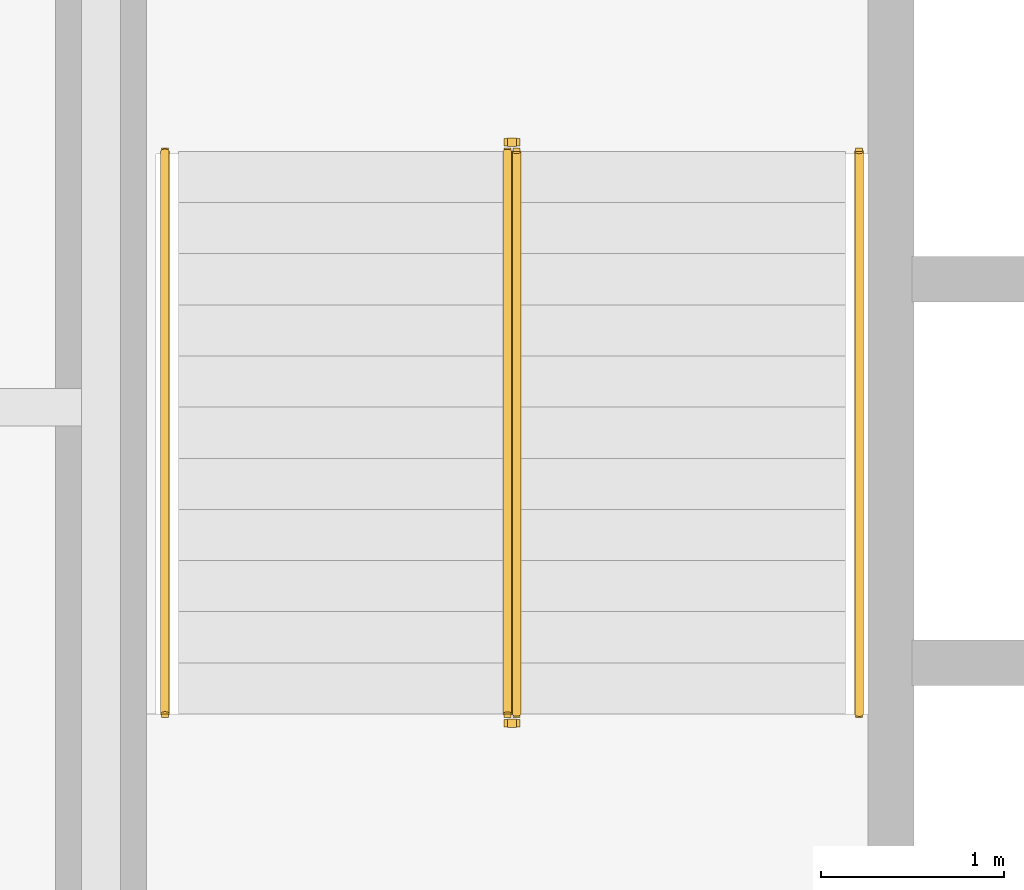
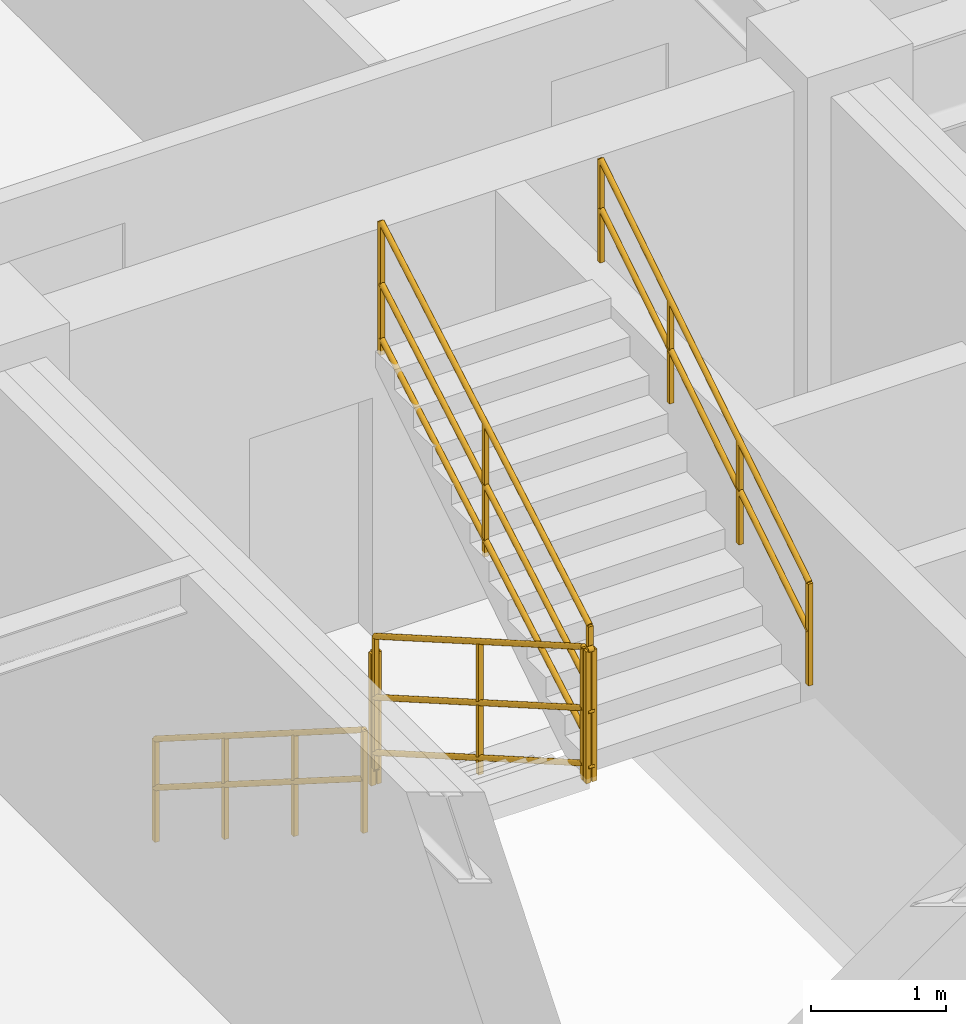
# One storey, part 11 of 11: 6 railings.
"""IFC4 building model written with IfcOpenShell, lengths in metres."""

from ifc_helpers import new_model, entity, si_unit, converted_unit, direction, frame, origin_with_axes, origin_2d_with_axis, place, context, subcontext, project, spatial, rectangle, circle, extrude, material, type_object, element, save


model = new_model("IFC4")

# Units and contexts
model_context = context("Model", 3, precision=1e-05, world=origin_with_axes(), true_north=direction((0.0, 1.0)))
body_context = subcontext(model_context, "Body", "Model", "MODEL_VIEW")
ifc_project = project(units=[si_unit("LENGTHUNIT", "METRE"), si_unit("AREAUNIT", "SQUARE_METRE"), si_unit("VOLUMEUNIT", "CUBIC_METRE"), converted_unit("PLANEANGLEUNIT", "DEGREE", entity("IfcPlaneAngleMeasure", 0.017453292519943295), si_unit("PLANEANGLEUNIT", "RADIAN"), dimensions=[0, 0, 0, 0, 0, 0, 0]), si_unit("MASSUNIT", "GRAM", prefix="KILO"), si_unit("THERMODYNAMICTEMPERATUREUNIT", "KELVIN")], contexts=[model_context])

# Site, building, storey
site_placement = place(None, origin_with_axes())
site = spatial("IfcSite", under=ifc_project, at=site_placement, CompositionType="ELEMENT")
building_placement = place(site_placement, origin_with_axes())
building = spatial("IfcBuilding", under=site, at=building_placement, Name="Varnlund Millrace Tower", CompositionType="ELEMENT")
storey_placement = place(building_placement, frame((0.0, 0.0, 200.4), z_axis=(0.0, 0.0, 1.0), x_axis=(1.0, 0.0, 0.0)))
storey = spatial("IfcBuildingStorey", under=building, at=storey_placement, Name="L49", CompositionType="ELEMENT", Elevation=200.4)

# Railings
ifc_material_1 = material(Name="Painted steel stair well balustrade guard", Category="steel")
railing_type_1 = type_object("IfcRailingType", Name="Type-StairGuard-1150", PredefinedType="GUARDRAIL", material=ifc_material_1)
railing_1_placement = place(storey_placement, frame((0.0, 0.0, -200.4), z_axis=(0.0, 0.0, 1.0), x_axis=(1.0, 0.0, 0.0)))
element("IfcRailing", 1, at=railing_1_placement, inside=storey, type_object=railing_type_1, Name="Type-StairGuard-1150", PredefinedType="GUARDRAIL", context=body_context, shape_type="SweptSolid", body=[
    extrude(circle(Radius=0.024, at=origin_2d_with_axis()), frame((13.625, 35.9, 201.727273), z_axis=(0.0, -0.866696, 0.498836), x_axis=(1.0, 0.0, 0.0)), (0.0, 0.0, 1.0), 3.553725),
    extrude(circle(Radius=0.024, at=origin_2d_with_axis()), frame((13.625, 35.9, 200.677273), z_axis=(0.0, -0.866696, 0.498836), x_axis=(1.0, 0.0, 0.0)), (0.0, 0.0, 1.0), 3.553725),
    extrude(circle(Radius=0.024, at=origin_2d_with_axis()), frame((13.625, 35.9, 201.175273), z_axis=(0.0, -0.866696, 0.498836), x_axis=(1.0, 0.0, 0.0)), (0.0, 0.0, 1.0), 3.553725),
    extrude(rectangle(XDim=0.04, YDim=0.04, at=origin_2d_with_axis()), frame((13.625, 35.9, 200.537273), z_axis=(0.0, 0.0, 1.0), x_axis=(1.0, 0.0, 0.0)), (0.0, 0.0, 1.0), 1.19),
    extrude(rectangle(XDim=0.04, YDim=0.04, at=origin_2d_with_axis()), frame((13.625, 34.36, 201.423637), z_axis=(0.0, 0.0, 1.0), x_axis=(1.0, 0.0, 0.0)), (0.0, 0.0, 1.0), 1.19),
    extrude(rectangle(XDim=0.04, YDim=0.04, at=origin_2d_with_axis()), frame((13.625, 32.82, 202.31), z_axis=(0.0, 0.0, 1.0), x_axis=(1.0, 0.0, 0.0)), (0.0, 0.0, 1.0), 1.19),
])
railing_2_placement = place(storey_placement, frame((0.0, 0.0, -200.4), z_axis=(0.0, 0.0, 1.0), x_axis=(1.0, 0.0, 0.0)))
element("IfcRailing", 2, at=railing_2_placement, inside=storey, type_object=railing_type_1, Name="Type-StairGuard-1150", PredefinedType="GUARDRAIL", context=body_context, shape_type="SweptSolid", body=[
    extrude(circle(Radius=0.024, at=origin_2d_with_axis()), frame((13.675, 32.77, 203.5), z_axis=(-1.0, 0.0, 0.0), x_axis=(0.0, -1.0, 0.0)), (0.0, 0.0, 1.0), 0.05),
    extrude(circle(Radius=0.024, at=origin_2d_with_axis()), frame((13.675, 32.77, 202.45), z_axis=(-1.0, 0.0, 0.0), x_axis=(0.0, -1.0, 0.0)), (0.0, 0.0, 1.0), 0.05),
    extrude(circle(Radius=0.024, at=origin_2d_with_axis()), frame((13.675, 32.77, 202.948), z_axis=(-1.0, 0.0, 0.0), x_axis=(0.0, -1.0, 0.0)), (0.0, 0.0, 1.0), 0.05),
    extrude(rectangle(XDim=0.04, YDim=0.04, at=origin_2d_with_axis()), frame((13.675, 32.77, 202.31), z_axis=(0.0, 0.0, 1.0), x_axis=(1.0, 0.0, 0.0)), (0.0, 0.0, 1.0), 1.19),
    extrude(rectangle(XDim=0.04, YDim=0.04, at=origin_2d_with_axis()), frame((13.625, 32.77, 202.31), z_axis=(0.0, 0.0, 1.0), x_axis=(1.0, 0.0, 0.0)), (0.0, 0.0, 1.0), 1.19),
])
railing_3_placement = place(storey_placement, frame((0.0, 0.0, -200.4), z_axis=(0.0, 0.0, 1.0), x_axis=(1.0, 0.0, 0.0)))
element("IfcRailing", 3, at=railing_3_placement, inside=storey, type_object=railing_type_1, Name="Type-StairGuard-1150", PredefinedType="GUARDRAIL", context=body_context, shape_type="SweptSolid", body=[
    extrude(circle(Radius=0.024, at=origin_2d_with_axis()), frame((13.675, 32.82, 203.677273), z_axis=(0.0, 0.866696, 0.498836), x_axis=(-1.0, 0.0, 0.0)), (0.0, 0.0, 1.0), 3.553725),
    extrude(circle(Radius=0.024, at=origin_2d_with_axis()), frame((13.675, 32.82, 202.627273), z_axis=(0.0, 0.866696, 0.498836), x_axis=(-1.0, 0.0, 0.0)), (0.0, 0.0, 1.0), 3.553725),
    extrude(circle(Radius=0.024, at=origin_2d_with_axis()), frame((13.675, 32.82, 203.125273), z_axis=(0.0, 0.866696, 0.498836), x_axis=(-1.0, 0.0, 0.0)), (0.0, 0.0, 1.0), 3.553725),
    extrude(rectangle(XDim=0.04, YDim=0.04, at=origin_2d_with_axis()), frame((13.675, 32.82, 202.487273), z_axis=(0.0, 0.0, 1.0), x_axis=(1.0, 0.0, 0.0)), (0.0, 0.0, 1.0), 1.19),
    extrude(rectangle(XDim=0.04, YDim=0.04, at=origin_2d_with_axis()), frame((13.675, 34.36, 203.373636), z_axis=(0.0, 0.0, 1.0), x_axis=(1.0, 0.0, 0.0)), (0.0, 0.0, 1.0), 1.19),
    extrude(rectangle(XDim=0.04, YDim=0.04, at=origin_2d_with_axis()), frame((13.675, 35.9, 204.26), z_axis=(0.0, 0.0, 1.0), x_axis=(1.0, 0.0, 0.0)), (0.0, 0.0, 1.0), 1.19),
])
railing_4_placement = place(storey_placement, frame((0.0, 0.0, -200.4), z_axis=(0.0, 0.0, 1.0), x_axis=(1.0, 0.0, 0.0)))
element("IfcRailing", 4, at=railing_4_placement, inside=storey, type_object=railing_type_1, Name="Type-StairGuard-1150", PredefinedType="GUARDRAIL", context=body_context, shape_type="SweptSolid", body=[
    extrude(circle(Radius=0.024, at=origin_2d_with_axis()), frame((13.675, 35.95, 201.55), z_axis=(-1.0, 0.0, 0.0), x_axis=(0.0, -1.0, 0.0)), (0.0, 0.0, 1.0), 0.05),
    extrude(circle(Radius=0.024, at=origin_2d_with_axis()), frame((13.675, 35.95, 200.5), z_axis=(-1.0, 0.0, 0.0), x_axis=(0.0, -1.0, 0.0)), (0.0, 0.0, 1.0), 0.05),
    extrude(circle(Radius=0.024, at=origin_2d_with_axis()), frame((13.675, 35.95, 200.998), z_axis=(-1.0, 0.0, 0.0), x_axis=(0.0, -1.0, 0.0)), (0.0, 0.0, 1.0), 0.05),
    extrude(rectangle(XDim=0.04, YDim=0.04, at=origin_2d_with_axis()), frame((13.675, 35.95, 200.36), z_axis=(0.0, 0.0, 1.0), x_axis=(1.0, 0.0, 0.0)), (0.0, 0.0, 1.0), 1.19),
    extrude(rectangle(XDim=0.04, YDim=0.04, at=origin_2d_with_axis()), frame((13.625, 35.95, 200.36), z_axis=(0.0, 0.0, 1.0), x_axis=(1.0, 0.0, 0.0)), (0.0, 0.0, 1.0), 1.19),
])
ifc_material_2 = material(Name="Brushed architectural bronze stair handrail", Category="aluminium")
railing_type_2 = type_object("IfcRailingType", Name="Type-StairHandrail-900", PredefinedType="HANDRAIL", material=ifc_material_2)
railing_5_placement = place(storey_placement, frame((0.0, 0.0, -200.4), z_axis=(0.0, 0.0, 1.0), x_axis=(1.0, 0.0, 0.0)))
element("IfcRailing", 5, at=railing_5_placement, inside=storey, type_object=railing_type_2, Name="Type-StairHandrail-900", PredefinedType="HANDRAIL", context=body_context, shape_type="SweptSolid", body=[
    extrude(circle(Radius=0.024, at=origin_2d_with_axis()), frame((11.75, 35.9, 201.456995), z_axis=(0.0, -0.844902, 0.534922), x_axis=(1.0, 0.0, 0.0)), (0.0, 0.0, 1.0), 3.645394),
    extrude(circle(Radius=0.024, at=origin_2d_with_axis()), frame((11.75, 35.9, 201.017134), z_axis=(0.0, -0.844902, 0.534922), x_axis=(1.0, 0.0, 0.0)), (0.0, 0.0, 1.0), 3.645394),
    extrude(rectangle(XDim=0.04, YDim=0.04, at=origin_2d_with_axis()), frame((11.75, 35.9, 200.537273), z_axis=(0.0, 0.0, 1.0), x_axis=(1.0, 0.0, 0.0)), (0.0, 0.0, 1.0), 0.919722),
    extrude(rectangle(XDim=0.04, YDim=0.04, at=origin_2d_with_axis()), frame((11.75, 34.873333, 201.187273), z_axis=(0.0, 0.0, 1.0), x_axis=(1.0, 0.0, 0.0)), (0.0, 0.0, 1.0), 0.919722),
    extrude(rectangle(XDim=0.04, YDim=0.04, at=origin_2d_with_axis()), frame((11.75, 33.846667, 201.837273), z_axis=(0.0, 0.0, 1.0), x_axis=(1.0, 0.0, 0.0)), (0.0, 0.0, 1.0), 0.919722),
    extrude(rectangle(XDim=0.04, YDim=0.04, at=origin_2d_with_axis()), frame((11.75, 32.82, 202.487273), z_axis=(0.0, 0.0, 1.0), x_axis=(1.0, 0.0, 0.0)), (0.0, 0.0, 1.0), 0.919722),
])
railing_6_placement = place(storey_placement, frame((0.0, 0.0, -200.4), z_axis=(0.0, 0.0, 1.0), x_axis=(1.0, 0.0, 0.0)))
element("IfcRailing", 6, at=railing_6_placement, inside=storey, type_object=railing_type_2, Name="Type-StairHandrail-900", PredefinedType="HANDRAIL", context=body_context, shape_type="SweptSolid", body=[
    extrude(circle(Radius=0.024, at=origin_2d_with_axis()), frame((15.55, 32.82, 203.406995), z_axis=(0.0, 0.844902, 0.534922), x_axis=(-1.0, 0.0, 0.0)), (0.0, 0.0, 1.0), 3.645394),
    extrude(circle(Radius=0.024, at=origin_2d_with_axis()), frame((15.55, 32.82, 202.967134), z_axis=(0.0, 0.844902, 0.534922), x_axis=(-1.0, 0.0, 0.0)), (0.0, 0.0, 1.0), 3.645394),
    extrude(rectangle(XDim=0.04, YDim=0.04, at=origin_2d_with_axis()), frame((15.55, 32.82, 202.487273), z_axis=(0.0, 0.0, 1.0), x_axis=(1.0, 0.0, 0.0)), (0.0, 0.0, 1.0), 0.919722),
    extrude(rectangle(XDim=0.04, YDim=0.04, at=origin_2d_with_axis()), frame((15.55, 33.846667, 203.137273), z_axis=(0.0, 0.0, 1.0), x_axis=(1.0, 0.0, 0.0)), (0.0, 0.0, 1.0), 0.919722),
    extrude(rectangle(XDim=0.04, YDim=0.04, at=origin_2d_with_axis()), frame((15.55, 34.873333, 203.787273), z_axis=(0.0, 0.0, 1.0), x_axis=(1.0, 0.0, 0.0)), (0.0, 0.0, 1.0), 0.919722),
    extrude(rectangle(XDim=0.04, YDim=0.04, at=origin_2d_with_axis()), frame((15.55, 35.9, 204.437273), z_axis=(0.0, 0.0, 1.0), x_axis=(1.0, 0.0, 0.0)), (0.0, 0.0, 1.0), 0.919722),
])

save(model, "model.ifc")
